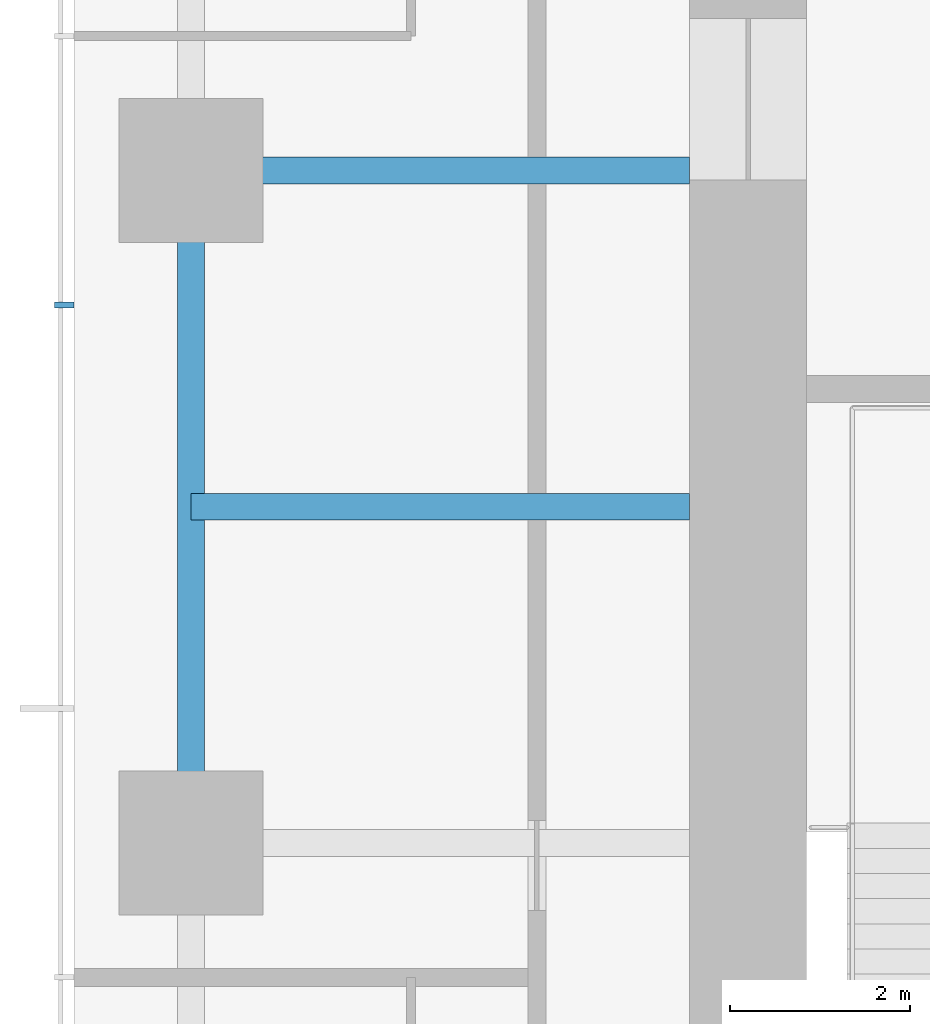
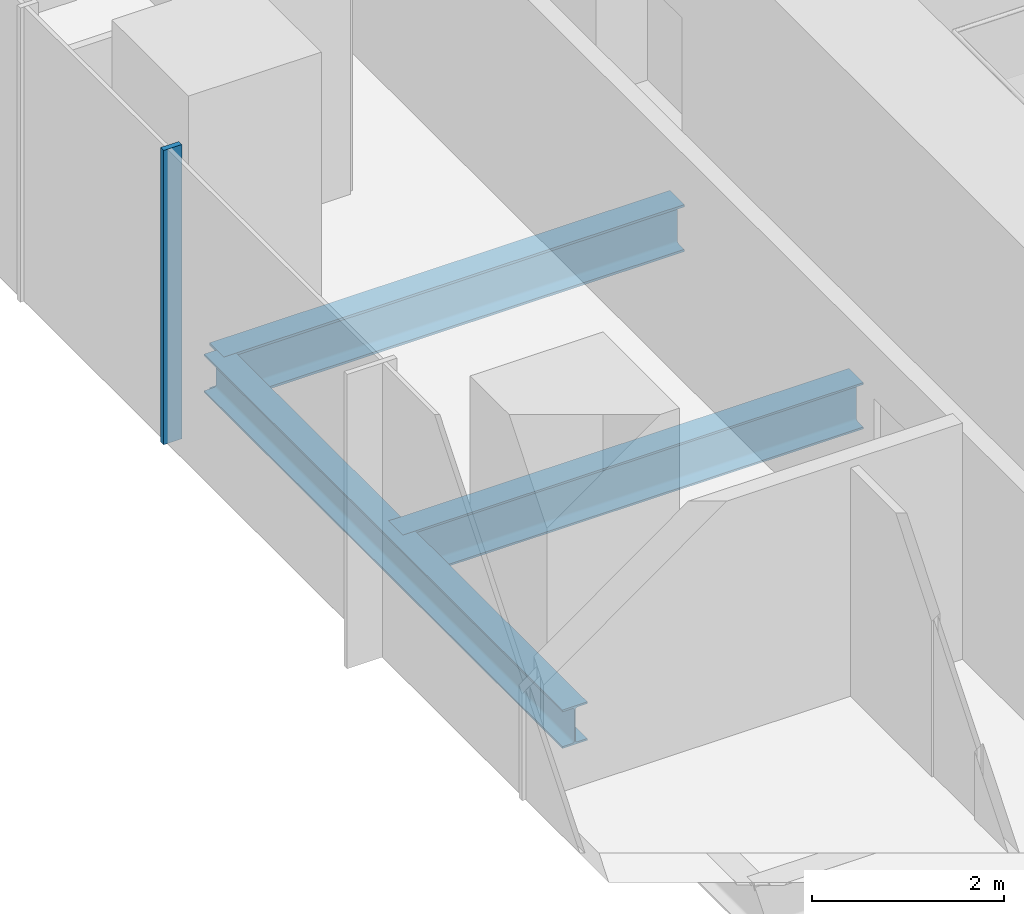
# One storey, part 3 of 12: 3 beams, 1 member, 1 element without a shape of its own.
"""IFC4 building model written with IfcOpenShell, lengths in metres."""

from ifc_helpers import new_model, si_unit, direction, frame, origin, origin_2d, place, context, subcontext, project, spatial, rectangle, i_section, extrude, material, material_profile, profile_set, type_object, element, aggregate, save


model = new_model("IFC4")

# Units and contexts
model_context = context("Model", 3, precision=1e-05, world=origin(), true_north=direction((0.0, 1.0)))
body_context = subcontext(model_context, "Body", "Model", "MODEL_VIEW")
ifc_project = project(units=[si_unit("LENGTHUNIT", "METRE"), si_unit("AREAUNIT", "SQUARE_METRE"), si_unit("VOLUMEUNIT", "CUBIC_METRE"), si_unit("PLANEANGLEUNIT", "RADIAN"), si_unit("MASSUNIT", "GRAM", prefix="KILO")], contexts=[model_context])

# Site, building, storey
site_placement = place(None, origin())
site = spatial("IfcSite", under=ifc_project, at=site_placement, CompositionType="ELEMENT")
building_placement = place(site_placement, origin())
building = spatial("IfcBuilding", under=site, at=building_placement, Name="Khuree Lantern Residences", CompositionType="ELEMENT")
storey_placement = place(building_placement, frame((0.0, 0.0, 334.5)))
storey = spatial("IfcBuildingStorey", under=building, at=storey_placement, Name="L84", CompositionType="ELEMENT", Elevation=334.5)

# Beams
ifc_material_1 = material(Name="Steel S355", Category="steel")
ifc_material_profile_1 = material_profile(ifc_material_1, i_section(OverallWidth=0.300048828125, OverallDepth=0.590087890625, WebThickness=0.012939453125, FlangeThickness=0.02490234375, FilletRadius=0.027099609375, at=origin_2d()), Name="HE 600 A")
ifc_profile_set_1 = profile_set([ifc_material_profile_1], Name="Steel S355")
beam_type_1 = type_object("IfcBeamType", Name="B-44 SECONDARY BEAM HE 600 A", PredefinedType="BEAM", material=ifc_profile_set_1)
beam_1_placement = place(storey_placement, frame((-21.699951171875, 3.739990234375, -0.544921875), z_axis=(1.0, 0.0, 0.0), x_axis=(0.0, 1.0, 0.0)))
element("IfcBeam", 1, at=beam_1_placement, inside=storey, type_object=beam_type_1, Name="Secondary beam W4", PredefinedType="BEAM", context=body_context, shape_type="SweptSolid", body=[
    extrude(i_section(OverallWidth=0.300048828125, OverallDepth=0.590087890625, WebThickness=0.012939453125, FlangeThickness=0.02490234375, FilletRadius=0.027099609375, at=origin_2d()), origin(), (0.0, 0.0, 1.0), 5.550048828125),
])
ifc_material_profile_2 = material_profile(ifc_material_1, i_section(OverallWidth=0.300048828125, OverallDepth=0.489990234375, WebThickness=0.011962890625, FlangeThickness=0.02294921875, FilletRadius=0.027099609375, at=origin_2d()), Name="HE 500 A")
ifc_profile_set_2 = profile_set([ifc_material_profile_2], Name="Steel S355")
beam_type_2 = type_object("IfcBeamType", Name="E-44 SPANDREL BEAM HE 500 A", PredefinedType="SPANDREL", material=ifc_profile_set_2)
beam_2_placement = place(storey_placement, frame((-21.699951171875, 0.0, -0.4951171875), z_axis=(0.0, 1.0, 0.0), x_axis=(-1.0, 0.0, 0.0)))
element("IfcBeam", 2, at=beam_2_placement, inside=storey, type_object=beam_type_2, Name="Spandrel beam W4", PredefinedType="SPANDREL", context=body_context, shape_type="SweptSolid", body=[
    extrude(i_section(OverallWidth=0.300048828125, OverallDepth=0.489990234375, WebThickness=0.011962890625, FlangeThickness=0.02294921875, FilletRadius=0.027099609375, at=origin_2d()), origin(), (0.0, 0.0, 1.0), 7.47998046875),
])
ifc_material_profile_3 = material_profile(ifc_material_1, i_section(OverallWidth=0.300048828125, OverallDepth=0.60009765625, WebThickness=0.015380859375, FlangeThickness=0.030029296875, FilletRadius=0.027099609375, at=origin_2d()), Name="HE 600 B")
ifc_profile_set_3 = profile_set([ifc_material_profile_3], Name="Steel S355")
beam_type_3 = type_object("IfcBeamType", Name="G-44 GIRDER HE 600 B", PredefinedType="BEAM", material=ifc_profile_set_3)
beam_3_placement = place(storey_placement, frame((-21.699951171875, 7.47998046875, -0.550048828125), z_axis=(1.0, 0.0, 0.0), x_axis=(0.0, 1.0, 0.0)))
element("IfcBeam", 3, at=beam_3_placement, inside=storey, type_object=beam_type_3, Name="Girder W4", PredefinedType="BEAM", context=body_context, shape_type="SweptSolid", body=[
    extrude(i_section(OverallWidth=0.300048828125, OverallDepth=0.60009765625, WebThickness=0.015380859375, FlangeThickness=0.030029296875, FilletRadius=0.027099609375, at=origin_2d()), origin(), (0.0, 0.0, 1.0), 5.550048828125),
])

# Curtain wall, member
ifc_material_2 = material(Name="Bronze anodised aluminium", Category="aluminium")
curtain_wall_type = type_object("IfcCurtainWallType", Name="CW-T1 TOWER FACE CURTAIN WALL", PredefinedType="USERDEFINED", material=ifc_material_2)
curtain_wall_placement = place(storey_placement, origin())
curtain_wall = element("IfcCurtainWall", 4, at=curtain_wall_placement, inside=storey, type_object=curtain_wall_type, Name="L84 WEST FACE CURTAIN WALL", ObjectType="Stick-built curtain wall", PredefinedType="USERDEFINED")
ifc_material_profile_4 = material_profile(ifc_material_2, rectangle(XDim=0.06494140625, YDim=0.219970703125, at=origin_2d()), Name="M1 65X220")
ifc_profile_set_4 = profile_set([ifc_material_profile_4], Name="Bronze anodised aluminium")
member_type = type_object("IfcMemberType", Name="M1 BRONZE MULLION TOWER 65X220", PredefinedType="MULLION", material=ifc_profile_set_4)
member_placement = place(storey_placement, frame((-23.110107421875, 5.98388671875, 0.0), z_axis=(0.0, 0.0, 1.0), x_axis=(0.0, -1.0, 0.0)))
member = element("IfcMember", 5, at=member_placement, type_object=member_type, Name="L84 WEST FACE MULLION 36", PredefinedType="MULLION", context=body_context, shape_type="SweptSolid", body=[
    extrude(rectangle(XDim=0.06494140625, YDim=0.219970703125, at=origin_2d()), origin(), (0.0, 0.0, 1.0), 3.75),
])
aggregate(curtain_wall, [member])

save(model, "model.ifc")
